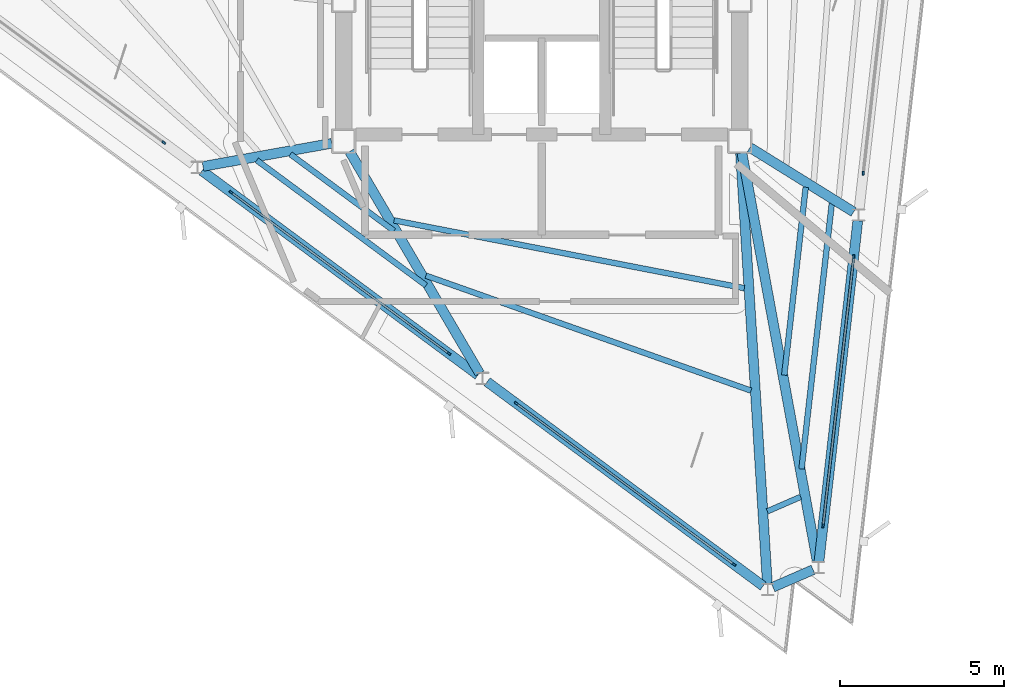
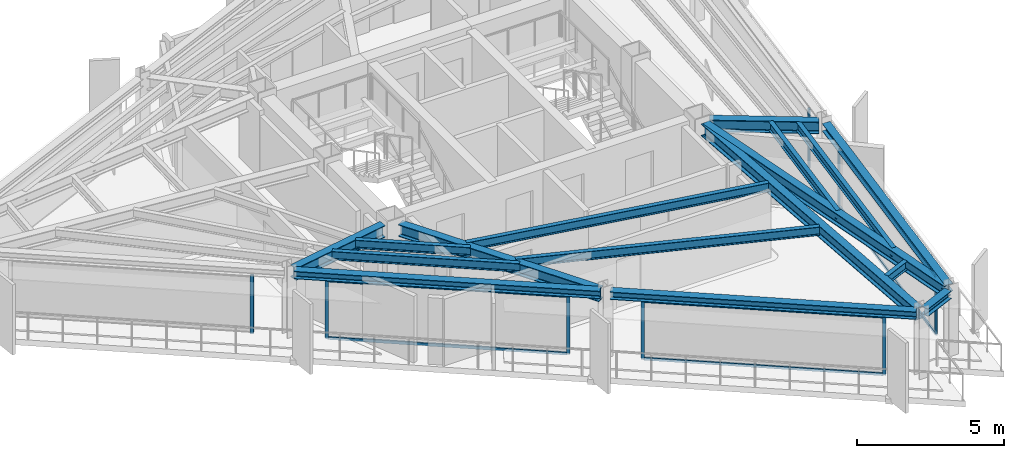
# One storey, part 2 of 9: 16 beams, 14 members, 5 elements without a shape of their own.
"""IFC4 building model written with IfcOpenShell, lengths in metres."""

from ifc_helpers import new_model, si_unit, direction, frame, origin, origin_2d, place, context, subcontext, project, spatial, rectangle, i_section, extrude, material, layer, layer_set, material_profile, profile_set, type_object, element, aggregate, save


model = new_model("IFC4")

# Units and contexts
model_context = context("Model", 3, precision=1e-05, world=origin(), true_north=direction((0.0, 1.0)))
body_context = subcontext(model_context, "Body", "Model", "MODEL_VIEW")
ifc_project = project(units=[si_unit("LENGTHUNIT", "METRE"), si_unit("AREAUNIT", "SQUARE_METRE"), si_unit("VOLUMEUNIT", "CUBIC_METRE"), si_unit("PLANEANGLEUNIT", "RADIAN"), si_unit("MASSUNIT", "GRAM", prefix="KILO")], contexts=[model_context])

# Site, building, storey
site_placement = place(None, origin())
site = spatial("IfcSite", under=ifc_project, at=site_placement, CompositionType="ELEMENT")
building_placement = place(site_placement, origin())
building = spatial("IfcBuilding", under=site, at=building_placement, Name="Rocaltana Carrier Exchange", CompositionType="ELEMENT")
storey_placement = place(building_placement, frame((0.0, 0.0, 233.1201171875)))
storey = spatial("IfcBuildingStorey", under=building, at=storey_placement, Name="L74", CompositionType="ELEMENT", Elevation=233.1201171875)

# Curtain wall, members
ifc_material_1 = material(Name="Aluminium 6063-T6", Category="aluminium")
ifc_layer = layer(ifc_material_1, 0.1201171875)
ifc_layer_set = layer_set([ifc_layer], Name="Aluminium 6063-T6")
curtain_wall_type = type_object("IfcCurtainWallType", Name="High-Altitude Thermal Curtain Wall CW-05", PredefinedType="NOTDEFINED", material=ifc_layer_set)
curtain_wall_1_placement = place(storey_placement, origin())
curtain_wall_1 = element("IfcCurtainWall", 1, at=curtain_wall_1_placement, inside=storey, type_object=curtain_wall_type, Name="L74 CW-05 Run CW-L74-F1S1", PredefinedType="NOTDEFINED")
ifc_material_2 = material(Name="Aluminium 6063-T6", Category="aluminium")
ifc_material_profile_1 = material_profile(ifc_material_2, rectangle(XDim=0.06005859375, YDim=0.1201171875, at=origin_2d()), Name="AL-60X120")
ifc_profile_set_1 = profile_set([ifc_material_profile_1], Name="Aluminium 6063-T6")
member_type_1 = type_object("IfcMemberType", Name="CW-05 Mullion AL-60X120", PredefinedType="MULLION", material=ifc_profile_set_1)
member_1_placement = place(storey_placement, frame((8.593505859375, -16.0458984375, 0.0), z_axis=(0.0, 0.0, 1.0), x_axis=(-0.993571216652, 0.113208822277, 0.0)))
member_1 = element("IfcMember", 2, at=member_1_placement, type_object=member_type_1, Name="CW-05 mullion 1", PredefinedType="MULLION", context=body_context, shape_type="SweptSolid", body=[
    extrude(rectangle(XDim=0.06005859375, YDim=0.1201171875, at=origin_2d()), origin(), (0.0, 0.0, 1.0), 2.447998046875),
])
member_2_placement = place(storey_placement, frame((9.530029296875, -7.825927734375, 0.0), z_axis=(0.0, 0.0, 1.0), x_axis=(-0.993571216652, 0.113208822277, 0.0)))
member_2 = element("IfcMember", 3, at=member_2_placement, type_object=member_type_1, Name="CW-05 mullion 2", PredefinedType="MULLION", context=body_context, shape_type="SweptSolid", body=[
    extrude(rectangle(XDim=0.06005859375, YDim=0.1201171875, at=origin_2d()), origin(), (0.0, 0.0, 1.0), 2.447998046875),
])

# Curtain wall, member
curtain_wall_2_placement = place(storey_placement, origin())
curtain_wall_2 = element("IfcCurtainWall", 4, at=curtain_wall_2_placement, inside=storey, type_object=curtain_wall_type, Name="L74 CW-05 Run CW-L74-F1S2", PredefinedType="NOTDEFINED")
member_3_placement = place(storey_placement, frame((9.81982421875, -5.2822265625, 0.0), z_axis=(0.0, 0.0, 1.0), x_axis=(-0.993571216652, 0.113208822277, 0.0)))
member_3 = element("IfcMember", 5, at=member_3_placement, type_object=member_type_1, Name="CW-05 mullion 1", PredefinedType="MULLION", context=body_context, shape_type="SweptSolid", body=[
    extrude(rectangle(XDim=0.06005859375, YDim=0.1201171875, at=origin_2d()), origin(), (0.0, 0.0, 1.0), 2.447998046875),
])
aggregate(curtain_wall_2, [member_3])

curtain_wall_3_placement = place(storey_placement, origin())
curtain_wall_3 = element("IfcCurtainWall", 6, at=curtain_wall_3_placement, inside=storey, type_object=curtain_wall_type, Name="L74 CW-05 Run CW-L74-F3S1", PredefinedType="NOTDEFINED")
member_4_placement = place(storey_placement, frame((-11.54248046875, -4.340576171875, 0.0), z_axis=(0.0, 0.0, 1.0), x_axis=(0.594826566974, 0.803854063386, 0.0)))
member_4 = element("IfcMember", 7, at=member_4_placement, type_object=member_type_1, Name="CW-05 mullion 2", PredefinedType="MULLION", context=body_context, shape_type="SweptSolid", body=[
    extrude(rectangle(XDim=0.06005859375, YDim=0.1201171875, at=origin_2d()), origin(), (0.0, 0.0, 1.0), 2.447998046875),
])
aggregate(curtain_wall_3, [member_4])

# Curtain wall, members
curtain_wall_4_placement = place(storey_placement, origin())
curtain_wall_4 = element("IfcCurtainWall", 8, at=curtain_wall_4_placement, inside=storey, type_object=curtain_wall_type, Name="L74 CW-05 Run CW-L74-F3S2", PredefinedType="NOTDEFINED")
member_5_placement = place(storey_placement, frame((-9.484619140625, -5.863037109375, 0.0), z_axis=(0.0, 0.0, 1.0), x_axis=(0.594820829179, 0.803858309141, 0.0)))
member_5 = element("IfcMember", 9, at=member_5_placement, type_object=member_type_1, Name="CW-05 mullion 1", PredefinedType="MULLION", context=body_context, shape_type="SweptSolid", body=[
    extrude(rectangle(XDim=0.06005859375, YDim=0.1201171875, at=origin_2d()), origin(), (0.0, 0.0, 1.0), 2.447998046875),
])
member_6_placement = place(storey_placement, frame((-2.833984375, -10.784423828125, 0.0), z_axis=(0.0, 0.0, 1.0), x_axis=(0.594820829179, 0.803858309141, 0.0)))
member_6 = element("IfcMember", 10, at=member_6_placement, type_object=member_type_1, Name="CW-05 mullion 2", PredefinedType="MULLION", context=body_context, shape_type="SweptSolid", body=[
    extrude(rectangle(XDim=0.06005859375, YDim=0.1201171875, at=origin_2d()), origin(), (0.0, 0.0, 1.0), 2.447998046875),
])

curtain_wall_5_placement = place(storey_placement, origin())
curtain_wall_5 = element("IfcCurtainWall", 11, at=curtain_wall_5_placement, inside=storey, type_object=curtain_wall_type, Name="L74 CW-05 Run CW-L74-F3S3", PredefinedType="NOTDEFINED")
member_7_placement = place(storey_placement, frame((-0.776123046875, -12.30712890625, 0.0), z_axis=(0.0, 0.0, 1.0), x_axis=(0.594826566974, 0.803854063386, 0.0)))
member_7 = element("IfcMember", 12, at=member_7_placement, type_object=member_type_1, Name="CW-05 mullion 1", PredefinedType="MULLION", context=body_context, shape_type="SweptSolid", body=[
    extrude(rectangle(XDim=0.06005859375, YDim=0.1201171875, at=origin_2d()), origin(), (0.0, 0.0, 1.0), 2.447998046875),
])
member_8_placement = place(storey_placement, frame((5.87451171875, -17.228271484375, 0.0), z_axis=(0.0, 0.0, 1.0), x_axis=(0.594826566974, 0.803854063386, 0.0)))
member_8 = element("IfcMember", 13, at=member_8_placement, type_object=member_type_1, Name="CW-05 mullion 2", PredefinedType="MULLION", context=body_context, shape_type="SweptSolid", body=[
    extrude(rectangle(XDim=0.06005859375, YDim=0.1201171875, at=origin_2d()), origin(), (0.0, 0.0, 1.0), 2.447998046875),
])

# Member
ifc_material_3 = material(Name="Aluminium 6063-T6", Category="aluminium")
ifc_material_profile_2 = material_profile(ifc_material_3, rectangle(XDim=0.06005859375, YDim=0.1201171875, at=origin_2d()), Name="AL-60X120")
ifc_profile_set_2 = profile_set([ifc_material_profile_2], Name="Aluminium 6063-T6")
member_type_2 = type_object("IfcMemberType", Name="CW-05 Transom AL-60X120", PredefinedType="USERDEFINED", material=ifc_profile_set_2)
member_9_placement = place(storey_placement, frame((8.596923828125, -16.01611328125, 0.02978515625), z_axis=(0.113194477683, 0.993572850989, 0.0), x_axis=(-0.993572850989, 0.113194477683, 0.0)))
member_9 = element("IfcMember", 14, at=member_9_placement, type_object=member_type_2, Name="CW-05 transom 1.1", ObjectType="TRANSOM", PredefinedType="USERDEFINED", context=body_context, shape_type="SweptSolid", body=[
    extrude(rectangle(XDim=0.06005859375, YDim=0.1201171875, at=origin_2d()), origin(), (0.0, 0.0, 1.0), 8.213134765625),
])

member_10_placement = place(storey_placement, frame((8.596923828125, -16.01611328125, 2.41796875), z_axis=(0.113194477683, 0.993572850989, 0.0), x_axis=(-0.993572850989, 0.113194477683, 0.0)))
member_10 = element("IfcMember", 15, at=member_10_placement, type_object=member_type_2, Name="CW-05 transom 1.2", ObjectType="TRANSOM", PredefinedType="USERDEFINED", context=body_context, shape_type="SweptSolid", body=[
    extrude(rectangle(XDim=0.06005859375, YDim=0.1201171875, at=origin_2d()), origin(), (0.0, 0.0, 1.0), 8.213134765625),
])

aggregate(curtain_wall_1, [member_1, member_2, member_9, member_10])

member_11_placement = place(storey_placement, frame((-9.46044921875, -5.881103515625, 0.02978515625), z_axis=(0.80386407087, -0.59481304253, 0.0), x_axis=(0.59481304253, 0.80386407087, 0.0)))
member_11 = element("IfcMember", 16, at=member_11_placement, type_object=member_type_2, Name="CW-05 transom 1.1", ObjectType="TRANSOM", PredefinedType="USERDEFINED", context=body_context, shape_type="SweptSolid", body=[
    extrude(rectangle(XDim=0.06005859375, YDim=0.1201171875, at=origin_2d()), origin(), (0.0, 0.0, 1.0), 8.213623046875),
])

member_12_placement = place(storey_placement, frame((-9.46044921875, -5.881103515625, 2.41796875), z_axis=(0.80386407087, -0.59481304253, 0.0), x_axis=(0.59481304253, 0.80386407087, 0.0)))
member_12 = element("IfcMember", 17, at=member_12_placement, type_object=member_type_2, Name="CW-05 transom 1.2", ObjectType="TRANSOM", PredefinedType="USERDEFINED", context=body_context, shape_type="SweptSolid", body=[
    extrude(rectangle(XDim=0.06005859375, YDim=0.1201171875, at=origin_2d()), origin(), (0.0, 0.0, 1.0), 8.213623046875),
])

aggregate(curtain_wall_4, [member_5, member_6, member_11, member_12])

member_13_placement = place(storey_placement, frame((-0.751953125, -12.324951171875, 0.02978515625), z_axis=(0.803853553959, -0.594827255418, 0.0), x_axis=(0.594827255418, 0.803853553959, 0.0)))
member_13 = element("IfcMember", 18, at=member_13_placement, type_object=member_type_2, Name="CW-05 transom 1.1", ObjectType="TRANSOM", PredefinedType="USERDEFINED", context=body_context, shape_type="SweptSolid", body=[
    extrude(rectangle(XDim=0.06005859375, YDim=0.1201171875, at=origin_2d()), origin(), (0.0, 0.0, 1.0), 8.21337890625),
])

member_14_placement = place(storey_placement, frame((-0.751953125, -12.324951171875, 2.41796875), z_axis=(0.803853553959, -0.594827255418, 0.0), x_axis=(0.594827255418, 0.803853553959, 0.0)))
member_14 = element("IfcMember", 19, at=member_14_placement, type_object=member_type_2, Name="CW-05 transom 1.2", ObjectType="TRANSOM", PredefinedType="USERDEFINED", context=body_context, shape_type="SweptSolid", body=[
    extrude(rectangle(XDim=0.06005859375, YDim=0.1201171875, at=origin_2d()), origin(), (0.0, 0.0, 1.0), 8.21337890625),
])

aggregate(curtain_wall_5, [member_7, member_8, member_13, member_14])

# Beams
ifc_material_4 = material(Name="Steel S355", Category="steel")
ifc_material_profile_3 = material_profile(ifc_material_4, i_section(OverallWidth=0.172119140625, OverallDepth=0.35791015625, WebThickness=0.0078125, FlangeThickness=0.01318359375, FilletRadius=0.011962890625, at=origin_2d()), Name="W14X38")
ifc_profile_set_3 = profile_set([ifc_material_profile_3], Name="Steel S355")
beam_type_1 = type_object("IfcBeamType", Name="Floor Joist W14X38", PredefinedType="JOIST", material=ifc_profile_set_3)
beam_1_placement = place(storey_placement, frame((7.409423828125, -11.44677734375, 2.618896484375), z_axis=(0.113227249781, 0.993569116824, 0.0), x_axis=(-0.993569116824, 0.113227249781, 0.0)))
element("IfcBeam", 20, at=beam_1_placement, inside=storey, type_object=beam_type_1, Name="FJ-L74-01-2", PredefinedType="JOIST", context=body_context, shape_type="SweptSolid", body=[
    extrude(i_section(OverallWidth=0.172119140625, OverallDepth=0.35791015625, WebThickness=0.0078125, FlangeThickness=0.01318359375, FilletRadius=0.011962890625, at=origin_2d()), origin(), (0.0, 0.0, 1.0), 5.778564453125),
])
beam_2_placement = place(storey_placement, frame((7.937255859375, -14.310791015625, 2.618896484375), z_axis=(0.113185523322, 0.993573871089, 0.0), x_axis=(-0.993573871089, 0.113185523322, 0.0)))
element("IfcBeam", 21, at=beam_2_placement, inside=storey, type_object=beam_type_1, Name="FJ-L74-01-3", PredefinedType="JOIST", context=body_context, shape_type="SweptSolid", body=[
    extrude(i_section(OverallWidth=0.172119140625, OverallDepth=0.35791015625, WebThickness=0.0078125, FlangeThickness=0.01318359375, FilletRadius=0.011962890625, at=origin_2d()), origin(), (0.0, 0.0, 1.0), 8.162109375),
])
beam_3_placement = place(storey_placement, frame((-7.675048828125, -4.698486328125, 2.618896484375), z_axis=(0.803860282808, -0.594818161899, 0.0), x_axis=(0.594818161899, 0.803860282808, 0.0)))
element("IfcBeam", 22, at=beam_3_placement, inside=storey, type_object=beam_type_1, Name="FJ-L74-10-1", PredefinedType="JOIST", context=body_context, shape_type="SweptSolid", body=[
    extrude(i_section(OverallWidth=0.172119140625, OverallDepth=0.35791015625, WebThickness=0.0078125, FlangeThickness=0.01318359375, FilletRadius=0.011962890625, at=origin_2d()), origin(), (0.0, 0.0, 1.0), 3.93701171875),
])
beam_4_placement = place(storey_placement, frame((-8.70166015625, -4.8828125, 2.618896484375), z_axis=(0.803852431251, -0.59482877265, 0.0), x_axis=(0.59482877265, 0.803852431251, 0.0)))
element("IfcBeam", 23, at=beam_4_placement, inside=storey, type_object=beam_type_1, Name="FJ-L74-10-2", PredefinedType="JOIST", context=body_context, shape_type="SweptSolid", body=[
    extrude(i_section(OverallWidth=0.172119140625, OverallDepth=0.35791015625, WebThickness=0.0078125, FlangeThickness=0.01318359375, FilletRadius=0.011962890625, at=origin_2d()), origin(), (0.0, 0.0, 1.0), 6.4287109375),
])
beam_5_placement = place(storey_placement, frame((-4.5078125, -6.718505859375, 2.618896484375), z_axis=(0.981759350147, -0.190127794914, 0.0), x_axis=(0.190127794914, 0.981759350147, 0.0)))
element("IfcBeam", 24, at=beam_5_placement, inside=storey, type_object=beam_type_1, Name="FJ-L74-11-1", PredefinedType="JOIST", context=body_context, shape_type="SweptSolid", body=[
    extrude(i_section(OverallWidth=0.172119140625, OverallDepth=0.35791015625, WebThickness=0.0078125, FlangeThickness=0.01318359375, FilletRadius=0.011962890625, at=origin_2d()), origin(), (0.0, 0.0, 1.0), 10.896728515625),
])
beam_6_placement = place(storey_placement, frame((-3.537109375, -8.405517578125, 2.618896484375), z_axis=(0.942743579006, -0.333518431639, 0.0), x_axis=(0.333518431639, 0.942743579006, 0.0)))
element("IfcBeam", 25, at=beam_6_placement, inside=storey, type_object=beam_type_1, Name="FJ-L74-11-2", PredefinedType="JOIST", context=body_context, shape_type="SweptSolid", body=[
    extrude(i_section(OverallWidth=0.172119140625, OverallDepth=0.35791015625, WebThickness=0.0078125, FlangeThickness=0.01318359375, FilletRadius=0.011962890625, at=origin_2d()), origin(), (0.0, 0.0, 1.0), 10.5322265625),
])
beam_7_placement = place(storey_placement, frame((6.890380859375, -15.60498046875, 2.618896484375), z_axis=(0.917028106869, 0.398822581122, 0.0), x_axis=(-0.398822581122, 0.917028106869, 0.0)))
element("IfcBeam", 26, at=beam_7_placement, inside=storey, type_object=beam_type_1, Name="FJ-L74-12-3", PredefinedType="JOIST", context=body_context, shape_type="SweptSolid", body=[
    extrude(i_section(OverallWidth=0.172119140625, OverallDepth=0.35791015625, WebThickness=0.0078125, FlangeThickness=0.01318359375, FilletRadius=0.011962890625, at=origin_2d()), origin(), (0.0, 0.0, 1.0), 1.1103515625),
])
ifc_material_5 = material(Name="Steel S355", Category="steel")
ifc_material_profile_4 = material_profile(ifc_material_5, i_section(OverallWidth=0.300048828125, OverallDepth=0.320068359375, WebThickness=0.011474609375, FlangeThickness=0.0205078125, FilletRadius=0.027099609375, at=origin_2d()), Name="HEB320")
ifc_profile_set_4 = profile_set([ifc_material_profile_4], Name="Steel S355")
beam_type_2 = type_object("IfcBeamType", Name="Spandrel Edge Beam HEB320", PredefinedType="SPANDREL", material=ifc_profile_set_4)
for number, where, z_axis, x_axis, name in (
    (27, (8.46826171875, -17.144775390625, 2.637939453125), (0.113206425365, 0.993571489756, 0.0), (-0.993571489756, 0.113206425365, 0.0), "SP-L74-01"),
    (28, (-10.37353515625, -5.205322265625, 2.637939453125), (0.80386149379, -0.594816525326, 0.0), (0.594816525326, 0.80386149379, 0.0), "SP-L74-10"),
):
    element("IfcBeam", number, at=place(storey_placement, frame(where, z_axis=z_axis, x_axis=x_axis)), inside=storey, type_object=beam_type_2, Name=name, PredefinedType="SPANDREL", context=body_context, shape_type="SweptSolid", body=[
        extrude(i_section(OverallWidth=0.300048828125, OverallDepth=0.320068359375, WebThickness=0.011474609375, FlangeThickness=0.0205078125, FilletRadius=0.027099609375, at=origin_2d()), origin(), (0.0, 0.0, 1.0), 10.4853515625),
    ])
beam_8_placement = place(storey_placement, frame((-1.6650390625, -11.649169921875, 2.637939453125), z_axis=(0.803853255476, -0.594827658789, 0.0), x_axis=(0.594827658789, 0.803853255476, 0.0)))
element("IfcBeam", 29, at=beam_8_placement, inside=storey, type_object=beam_type_2, Name="SP-L74-11", PredefinedType="SPANDREL", context=body_context, shape_type="SweptSolid", body=[
    extrude(i_section(OverallWidth=0.300048828125, OverallDepth=0.320068359375, WebThickness=0.011474609375, FlangeThickness=0.0205078125, FilletRadius=0.027099609375, at=origin_2d()), origin(), (0.0, 0.0, 1.0), 10.485107421875),
])
beam_9_placement = place(storey_placement, frame((7.06298828125, -17.920166015625, 2.637939453125), z_axis=(0.917101989492, 0.398652656922, 0.0), x_axis=(-0.398652656922, 0.917101989492, 0.0)))
element("IfcBeam", 30, at=beam_9_placement, inside=storey, type_object=beam_type_2, Name="SP-L74-12", PredefinedType="SPANDREL", context=body_context, shape_type="SweptSolid", body=[
    extrude(i_section(OverallWidth=0.300048828125, OverallDepth=0.320068359375, WebThickness=0.011474609375, FlangeThickness=0.0205078125, FilletRadius=0.027099609375, at=origin_2d()), origin(), (0.0, 0.0, 1.0), 1.3369140625),
])
ifc_material_6 = material(Name="Steel S355", Category="steel")
ifc_material_profile_5 = material_profile(ifc_material_6, i_section(OverallWidth=0.300048828125, OverallDepth=0.5, WebThickness=0.014404296875, FlangeThickness=0.028076171875, FilletRadius=0.027099609375, at=origin_2d()), Name="HEB500")
ifc_profile_set_5 = profile_set([ifc_material_profile_5], Name="Steel S355")
beam_type_3 = type_object("IfcBeamType", Name="Upper Radial Girder HEB500", PredefinedType="BEAM", material=ifc_profile_set_5)
beam_10_placement = place(storey_placement, frame((6.116455078125, -4.660888671875, 2.5478515625), z_axis=(0.181205011111, -0.983445343651, 0.0), x_axis=(0.983445343651, 0.181205011111, 0.0)))
element("IfcBeam", 31, at=beam_10_placement, inside=storey, type_object=beam_type_3, Name="RG-L74-01", PredefinedType="BEAM", context=body_context, shape_type="SweptSolid", body=[
    extrude(i_section(OverallWidth=0.300048828125, OverallDepth=0.5, WebThickness=0.014404296875, FlangeThickness=0.028076171875, FilletRadius=0.027099609375, at=origin_2d()), origin(), (0.0, 0.0, 1.0), 12.69580078125),
])
beam_11_placement = place(storey_placement, frame((6.36181640625, -4.493896484375, 2.5478515625), z_axis=(0.849206736658, -0.528060525333, 0.0), x_axis=(0.528060525333, 0.849206736658, 0.0)))
element("IfcBeam", 32, at=beam_11_placement, inside=storey, type_object=beam_type_3, Name="RG-L74-02", PredefinedType="BEAM", context=body_context, shape_type="SweptSolid", body=[
    extrude(i_section(OverallWidth=0.300048828125, OverallDepth=0.5, WebThickness=0.014404296875, FlangeThickness=0.028076171875, FilletRadius=0.027099609375, at=origin_2d()), origin(), (0.0, 0.0, 1.0), 3.727294921875),
])
beam_12_placement = place(storey_placement, frame((-6.4111328125, -4.364990234375, 2.5478515625), z_axis=(-0.98425103289, -0.176776424489, 0.0), x_axis=(0.176776424489, -0.98425103289, 0.0)))
element("IfcBeam", 33, at=beam_12_placement, inside=storey, type_object=beam_type_3, Name="RG-L74-10", PredefinedType="BEAM", context=body_context, shape_type="SweptSolid", body=[
    extrude(i_section(OverallWidth=0.300048828125, OverallDepth=0.5, WebThickness=0.014404296875, FlangeThickness=0.028076171875, FilletRadius=0.027099609375, at=origin_2d()), origin(), (0.0, 0.0, 1.0), 3.994140625),
])
beam_13_placement = place(storey_placement, frame((-5.864501953125, -4.61669921875, 2.5478515625), z_axis=(0.505496980412, -0.862828373893, 0.0), x_axis=(0.862828373893, 0.505496980412, 0.0)))
element("IfcBeam", 34, at=beam_13_placement, inside=storey, type_object=beam_type_3, Name="RG-L74-11", PredefinedType="BEAM", context=body_context, shape_type="SweptSolid", body=[
    extrude(i_section(OverallWidth=0.300048828125, OverallDepth=0.5, WebThickness=0.014404296875, FlangeThickness=0.028076171875, FilletRadius=0.027099609375, at=origin_2d()), origin(), (0.0, 0.0, 1.0), 7.8564453125),
])
beam_14_placement = place(storey_placement, frame((6.07275390625, -4.666259765625, 2.5478515625), z_axis=(0.062224851394, -0.998062156315, 0.0), x_axis=(0.998062156315, 0.062224851394, 0.0)))
element("IfcBeam", 35, at=beam_14_placement, inside=storey, type_object=beam_type_3, Name="RG-L74-12", PredefinedType="BEAM", context=body_context, shape_type="SweptSolid", body=[
    extrude(i_section(OverallWidth=0.300048828125, OverallDepth=0.5, WebThickness=0.014404296875, FlangeThickness=0.028076171875, FilletRadius=0.027099609375, at=origin_2d()), origin(), (0.0, 0.0, 1.0), 13.17529296875),
])

save(model, "model.ifc")
